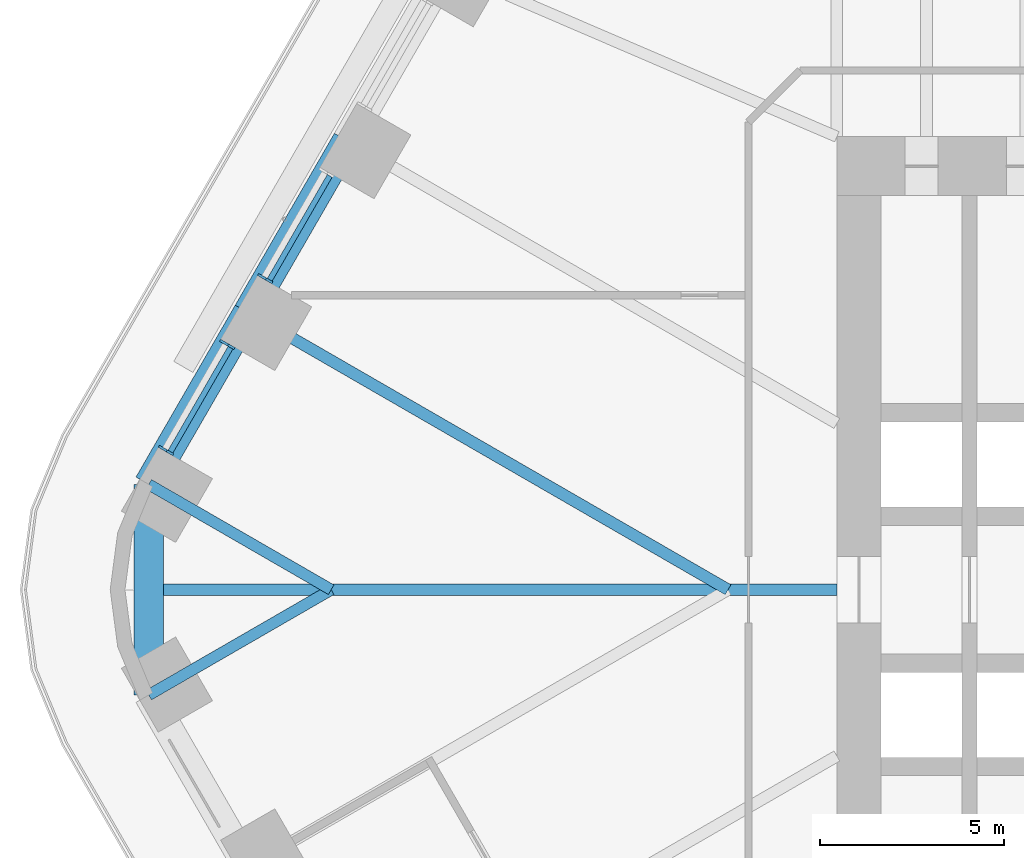
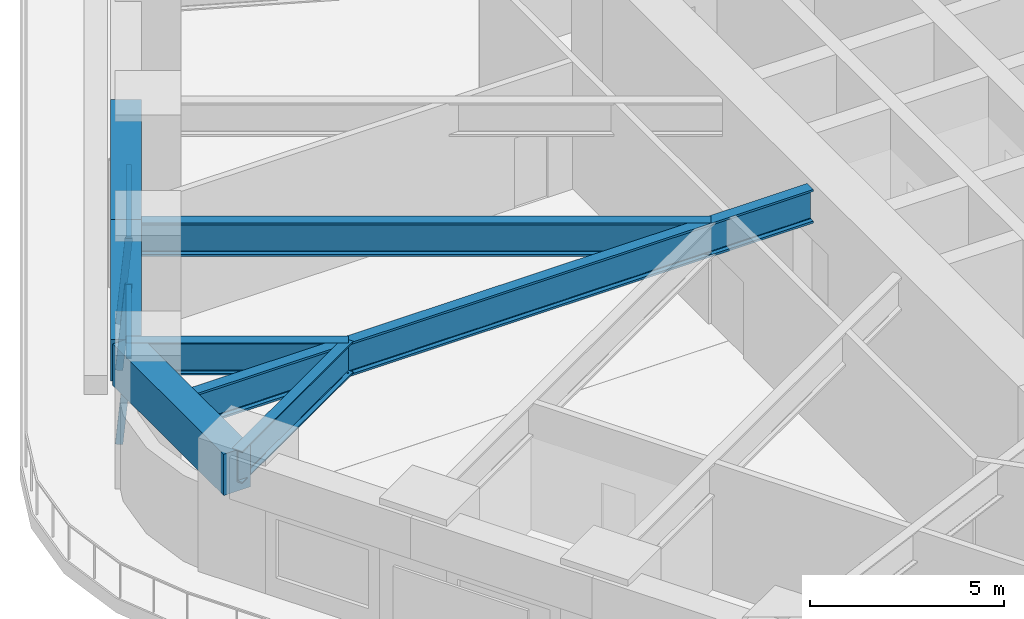
# One storey, part 6 of 24: 7 beams, 5 members, 2 elements without a shape of their own.
"""IFC4 building model written with IfcOpenShell, lengths in metres."""

from ifc_helpers import new_model, si_unit, direction, frame, origin, origin_2d, place, context, subcontext, project, spatial, rectangle, i_section, extrude, material, material_profile, profile_set, type_object, element, aggregate, save


model = new_model("IFC4")

# Units and contexts
model_context = context("Model", 3, precision=1e-05, world=origin(), true_north=direction((0.0, 1.0)))
body_context = subcontext(model_context, "Body", "Model", "MODEL_VIEW")
ifc_project = project(units=[si_unit("LENGTHUNIT", "METRE"), si_unit("AREAUNIT", "SQUARE_METRE"), si_unit("VOLUMEUNIT", "CUBIC_METRE"), si_unit("PLANEANGLEUNIT", "RADIAN"), si_unit("MASSUNIT", "GRAM", prefix="KILO")], contexts=[model_context])

# Site, building, storey
site_placement = place(None, origin())
site = spatial("IfcSite", under=ifc_project, at=site_placement, CompositionType="ELEMENT")
building_placement = place(site_placement, origin())
building = spatial("IfcBuilding", under=site, at=building_placement, Name="Tarfa Lantern Tower", CompositionType="ELEMENT")
storey_placement = place(building_placement, frame((0.0, 0.0, 69.699951171875)))
storey = spatial("IfcBuildingStorey", under=building, at=storey_placement, Name="L15", CompositionType="ELEMENT", Elevation=69.699951171875)

# Curtain wall, member
ifc_material_1 = material(Name="Aluminium framed curtain wall", Category="aluminium")
curtain_wall_type = type_object("IfcCurtainWallType", Name="CW1 CANTED GLAZING LOW ZONE 2700", PredefinedType="USERDEFINED", material=ifc_material_1)
curtain_wall_1_placement = place(storey_placement, origin())
curtain_wall_1 = element("IfcCurtainWall", 1, at=curtain_wall_1_placement, inside=storey, type_object=curtain_wall_type, Name="CW1 NW L15", ObjectType="CURTAIN WALL", PredefinedType="USERDEFINED")
ifc_material_2 = material(Name="Aluminium mullion", Category="aluminium")
ifc_material_profile_1 = material_profile(ifc_material_2, rectangle(XDim=0.06494140625, YDim=0.199951171875, at=origin_2d()), Name="AL MULLION 65x200")
ifc_profile_set_1 = profile_set([ifc_material_profile_1], Name="Aluminium mullion")
member_type_1 = type_object("IfcMemberType", Name="CWM1 MULLION 65x200", PredefinedType="MULLION", material=ifc_profile_set_1)
member_1_placement = place(storey_placement, frame((-34.230712890625, 8.5107421875, 0.0), z_axis=(0.07986442134, -0.046099868913, 0.99573916077), x_axis=(0.499919672301, 0.866071776036, 0.0)))
member_1 = element("IfcMember", 2, at=member_1_placement, type_object=member_type_1, Name="CW1 mullion 2", PredefinedType="MULLION", context=body_context, shape_type="SweptSolid", body=[
    extrude(rectangle(XDim=0.06494140625, YDim=0.199951171875, at=origin_2d()), origin(), (0.0, 0.0, 1.0), 2.71142578125),
])

# Curtain wall, members
curtain_wall_2_placement = place(storey_placement, origin())
curtain_wall_2 = element("IfcCurtainWall", 3, at=curtain_wall_2_placement, inside=storey, type_object=curtain_wall_type, Name="CW1 NW L15", ObjectType="CURTAIN WALL", PredefinedType="USERDEFINED")
member_2_placement = place(storey_placement, frame((-35.26318359375, 6.722412109375, 0.0), z_axis=(0.07986442134, -0.046099868913, 0.99573916077), x_axis=(0.499919672301, 0.866071776036, 0.0)))
member_2 = element("IfcMember", 4, at=member_2_placement, type_object=member_type_1, Name="CW1 mullion 1", PredefinedType="MULLION", context=body_context, shape_type="SweptSolid", body=[
    extrude(rectangle(XDim=0.06494140625, YDim=0.199951171875, at=origin_2d()), origin(), (0.0, 0.0, 1.0), 2.71142578125),
])
member_3_placement = place(storey_placement, frame((-36.9248046875, 3.84423828125, 0.0), z_axis=(0.079774955866, -0.04610020023, 0.995746317068), x_axis=(0.500342721131, 0.865827443207, 0.0)))
member_3 = element("IfcMember", 5, at=member_3_placement, type_object=member_type_1, Name="CW1 mullion 2", PredefinedType="MULLION", context=body_context, shape_type="SweptSolid", body=[
    extrude(rectangle(XDim=0.06494140625, YDim=0.199951171875, at=origin_2d()), origin(), (0.0, 0.0, 1.0), 2.71142578125),
])

# Member
ifc_material_3 = material(Name="Aluminium transom", Category="aluminium")
ifc_material_profile_2 = material_profile(ifc_material_3, rectangle(XDim=0.14990234375, YDim=0.06494140625, at=origin_2d()), Name="AL TRANSOM 150x65")
ifc_profile_set_2 = profile_set([ifc_material_profile_2], Name="Aluminium transom")
member_type_2 = type_object("IfcMemberType", Name="CWT1 TRANSOM 150x65", PredefinedType="USERDEFINED", material=ifc_profile_set_2)
member_4_placement = place(storey_placement, frame((-32.37109375, 11.237548828125, 2.66748046875), z_axis=(-0.500022939057, -0.866012159509, 0.0), x_axis=(0.866012159509, -0.500022939057, 0.0)))
member_4 = element("IfcMember", 6, at=member_4_placement, type_object=member_type_2, Name="CW1 transom 1.2", ObjectType="TRANSOM", PredefinedType="USERDEFINED", context=body_context, shape_type="SweptSolid", body=[
    extrude(rectangle(XDim=0.14990234375, YDim=0.06494140625, at=origin_2d()), origin(), (0.0, 0.0, 1.0), 3.258544921875),
])

aggregate(curtain_wall_1, [member_1, member_4])

member_5_placement = place(storey_placement, frame((-35.0654296875, 6.57080078125, 2.66748046875), z_axis=(-0.500022939057, -0.866012159509, 0.0), x_axis=(0.866012159509, -0.500022939057, 0.0)))
member_5 = element("IfcMember", 7, at=member_5_placement, type_object=member_type_2, Name="CW1 transom 1.2", ObjectType="TRANSOM", PredefinedType="USERDEFINED", context=body_context, shape_type="SweptSolid", body=[
    extrude(rectangle(XDim=0.14990234375, YDim=0.06494140625, at=origin_2d()), origin(), (0.0, 0.0, 1.0), 3.258544921875),
])

aggregate(curtain_wall_2, [member_2, member_3, member_5])

# Beams
ifc_material_4 = material(Name="Concrete C80/95", Category="concrete")
ifc_material_profile_3 = material_profile(ifc_material_4, rectangle(XDim=0.800048828125, YDim=1.300048828125, at=origin_2d()), Name="RC 800x1300")
ifc_profile_set_3 = profile_set([ifc_material_profile_3], Name="Concrete C80/95")
beam_type_1 = type_object("IfcBeamType", Name="EB1 RC 800x1300", PredefinedType="SPANDREL", material=ifc_profile_set_3)
beam_1_placement = place(storey_placement, frame((-31.896728515625, 12.193359375, 3.35009765625), z_axis=(-0.499998287579, -0.866026392449, 0.0), x_axis=(0.866026392449, -0.499998287579, 0.0)))
element("IfcBeam", 8, at=beam_1_placement, inside=storey, type_object=beam_type_1, Name="Edge beam NW4", PredefinedType="SPANDREL", context=body_context, shape_type="SweptSolid", body=[
    extrude(rectangle(XDim=0.800048828125, YDim=1.300048828125, at=origin_2d()), origin(), (0.0, 0.0, 1.0), 5.388671875),
])
beam_2_placement = place(storey_placement, frame((-34.591064453125, 7.526611328125, 3.35009765625), z_axis=(-0.500017906299, -0.866015065331, 0.0), x_axis=(0.866015065331, -0.500017906299, 0.0)))
element("IfcBeam", 9, at=beam_2_placement, inside=storey, type_object=beam_type_1, Name="Edge beam NW5", PredefinedType="SPANDREL", context=body_context, shape_type="SweptSolid", body=[
    extrude(rectangle(XDim=0.800048828125, YDim=1.300048828125, at=origin_2d()), origin(), (0.0, 0.0, 1.0), 5.388427734375),
])
beam_3_placement = place(storey_placement, frame((-37.285400390625, 2.860107421875, 3.35009765625), z_axis=(0.0, -1.0, 0.0), x_axis=(1.0, 0.0, 0.0)))
element("IfcBeam", 10, at=beam_3_placement, inside=storey, type_object=beam_type_1, Name="Edge beam NW6", PredefinedType="SPANDREL", context=body_context, shape_type="SweptSolid", body=[
    extrude(rectangle(XDim=0.800048828125, YDim=1.300048828125, at=origin_2d()), origin(), (0.0, 0.0, 1.0), 5.72021484375),
])
ifc_material_5 = material(Name="Steel S460M", Category="steel")
ifc_material_profile_4 = material_profile(ifc_material_5, i_section(OverallWidth=0.302001953125, OverallDepth=1.008056640625, WebThickness=0.02099609375, FlangeThickness=0.0400390625, FilletRadius=0.030029296875, at=origin_2d()), Name="UB1016x305x349")
ifc_profile_set_4 = profile_set([ifc_material_profile_4], Name="Steel S460M")
beam_type_2 = type_object("IfcBeamType", Name="UB1016x305x349", PredefinedType="BEAM", material=ifc_profile_set_4)
for number, where, z_axis, x_axis, name in (
    (11, (-37.285400390625, 2.860107421875, 3.49609375), (0.866025668288, -0.499999541866, 0.0), (0.499999541866, 0.866025668288, 0.0), "Floor beam NW6"),
    (12, (-37.285400390625, -2.860107421875, 3.49609375), (0.866025668288, 0.499999541866, 0.0), (-0.499999541866, 0.866025668288, 0.0), "Floor beam SW0"),
):
    element("IfcBeam", number, at=place(storey_placement, frame(where, z_axis=z_axis, x_axis=x_axis)), inside=storey, type_object=beam_type_2, Name=name, PredefinedType="BEAM", context=body_context, shape_type="SweptSolid", body=[
        extrude(i_section(OverallWidth=0.302001953125, OverallDepth=1.008056640625, WebThickness=0.02099609375, FlangeThickness=0.0400390625, FilletRadius=0.030029296875, at=origin_2d()), origin(), (0.0, 0.0, 1.0), 5.72021484375),
    ])
ifc_material_profile_5 = material_profile(ifc_material_5, i_section(OverallWidth=0.314208984375, OverallDepth=1.055908203125, WebThickness=0.035888671875, FlangeThickness=0.06396484375, FilletRadius=0.030029296875, at=origin_2d()), Name="UB1016x305x584")
ifc_profile_set_5 = profile_set([ifc_material_profile_5], Name="Steel S460M")
beam_type_3 = type_object("IfcBeamType", Name="UB1016x305x584", PredefinedType="BEAM", material=ifc_profile_set_5)
beam_4_placement = place(storey_placement, frame((-18.60009765625, 0.0, 3.47216796875), z_axis=(-1.0, 0.0, 0.0), x_axis=(0.0, -1.0, 0.0)))
element("IfcBeam", 13, at=beam_4_placement, inside=storey, type_object=beam_type_3, Name="Hip girder W", PredefinedType="BEAM", context=body_context, shape_type="SweptSolid", body=[
    extrude(i_section(OverallWidth=0.314208984375, OverallDepth=1.055908203125, WebThickness=0.035888671875, FlangeThickness=0.06396484375, FilletRadius=0.030029296875, at=origin_2d()), origin(), (0.0, 0.0, 1.0), 18.685302734375),
])
beam_5_placement = place(storey_placement, frame((-34.591064453125, 7.526611328125, 3.47216796875), z_axis=(0.86602785945, -0.499995746638, 0.0), x_axis=(0.499995746638, 0.86602785945, 0.0)))
element("IfcBeam", 14, at=beam_5_placement, inside=storey, type_object=beam_type_3, Name="Floor beam NW5", PredefinedType="BEAM", context=body_context, shape_type="SweptSolid", body=[
    extrude(i_section(OverallWidth=0.314208984375, OverallDepth=1.055908203125, WebThickness=0.035888671875, FlangeThickness=0.06396484375, FilletRadius=0.030029296875, at=origin_2d()), origin(), (0.0, 0.0, 1.0), 15.053466796875),
])

save(model, "model.ifc")
